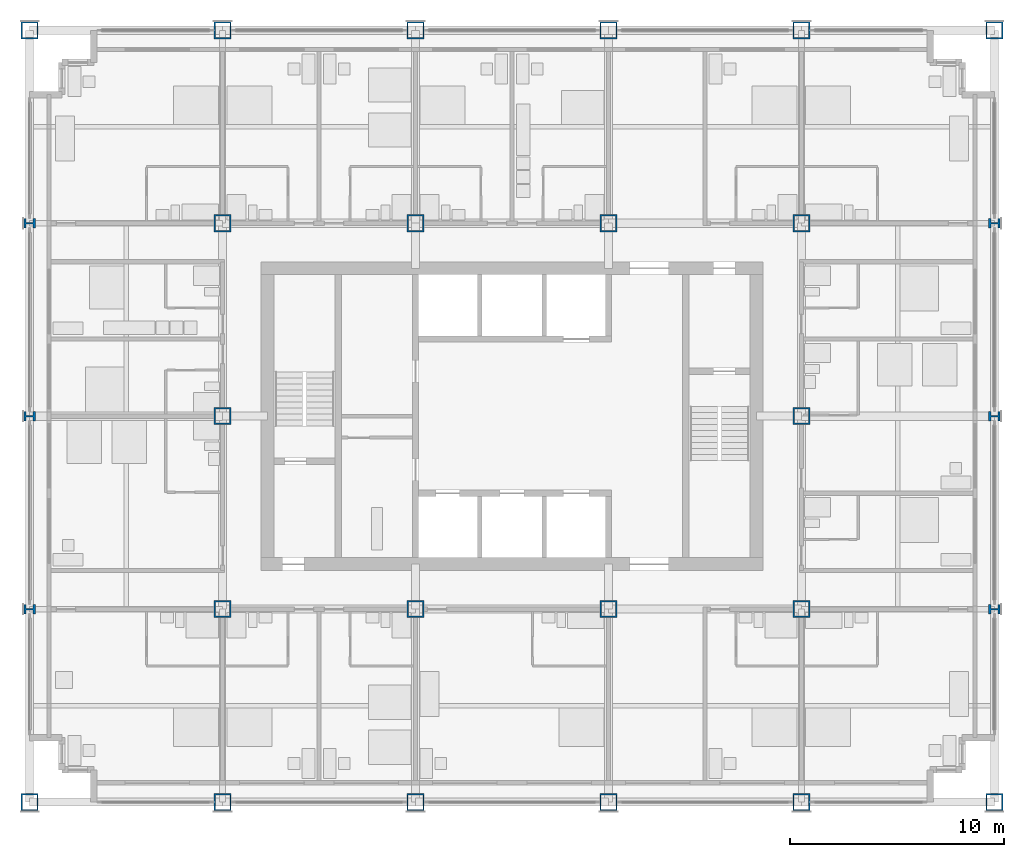
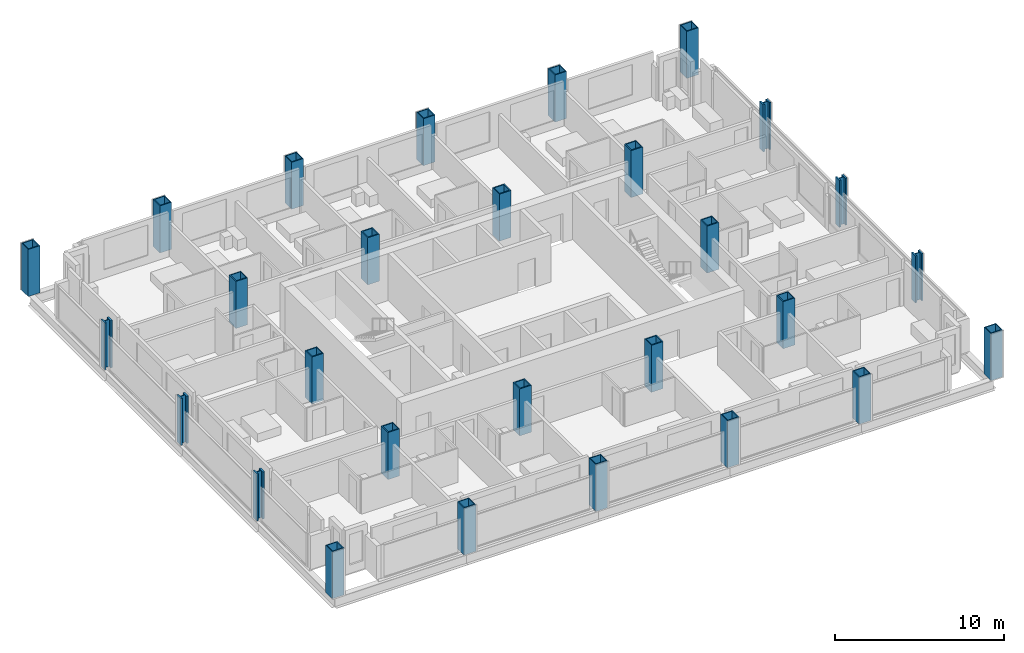
# One storey, part 1 of 17: 28 columns.
"""IFC4 building model written with IfcOpenShell, lengths in metres."""

from ifc_helpers import new_model, si_unit, direction, frame, origin, origin_2d, place, context, subcontext, project, spatial, hollow_rectangle, i_section, extrude, material, material_profile, profile_set, type_object, element, save


model = new_model("IFC4")

# Units and contexts
model_context = context("Model", 3, precision=1e-05, world=origin(), true_north=direction((0.0, 1.0)))
body_context = subcontext(model_context, "Body", "Model", "MODEL_VIEW")
ifc_project = project(units=[si_unit("LENGTHUNIT", "METRE"), si_unit("AREAUNIT", "SQUARE_METRE"), si_unit("VOLUMEUNIT", "CUBIC_METRE"), si_unit("PLANEANGLEUNIT", "RADIAN"), si_unit("MASSUNIT", "GRAM", prefix="KILO")], contexts=[model_context])

# Site, building, storey
site_placement = place(None, origin())
site = spatial("IfcSite", under=ifc_project, at=site_placement, CompositionType="ELEMENT")
building_placement = place(site_placement, origin())
building = spatial("IfcBuilding", under=site, at=building_placement, Name="Loomwork Tower", CompositionType="ELEMENT")
storey_placement = place(building_placement, frame((0.0, 0.0, 138.39990234375)))
storey = spatial("IfcBuildingStorey", under=building, at=storey_placement, Name="L37", CompositionType="ELEMENT", Elevation=138.39990234375)

# Columns
ifc_material_1 = material(Name="Steel ASTM A572 Grade 50 plate", Category="steel")
ifc_material_profile_1 = material_profile(ifc_material_1, hollow_rectangle(XDim=0.800048828125, YDim=0.800048828125, WallThickness=0.06005859375, at=origin_2d()), Name="BOX800x60")
ifc_profile_set_1 = profile_set([ifc_material_profile_1], Name="Steel ASTM A572 Grade 50 plate")
column_type_1 = type_object("IfcColumnType", Name="EXOSKELETON PIER BOX800x60", PredefinedType="COLUMN", material=ifc_profile_set_1)
for number, where, z_axis, x_axis, name in (
    (1, (0.0, 0.0, 0.0), (0.0, 0.0, 1.0), (1.0, 0.0, 0.0), "Exoskeleton Pier D/2 L37"),
    (2, (0.0, 36.0, 0.0), (0.0, 0.0, 1.0), (1.0, 0.0, 0.0), "Exoskeleton Pier H/2 L37"),
    (3, (9.0, 0.0, 0.0), (0.0, 0.0, 1.0), (1.0, 0.0, 0.0), "Exoskeleton Pier D/3 L37"),
    (4, (9.0, 36.0, 0.0), (0.0, 0.0, 1.0), (1.0, 0.0, 0.0), "Exoskeleton Pier H/3 L37"),
    (5, (18.0, 0.0, 0.0), (0.0, 0.0, 1.0), (1.0, 0.0, 0.0), "Exoskeleton Pier D/4 L37"),
    (6, (18.0, 36.0, 0.0), (0.0, 0.0, 1.0), (1.0, 0.0, 0.0), "Exoskeleton Pier H/4 L37"),
    (7, (27.0, 0.0, 0.0), (0.0, 0.0, 1.0), (1.0, 0.0, 0.0), "Exoskeleton Pier D/5 L37"),
    (8, (27.0, 36.0, 0.0), (0.0, 0.0, 1.0), (1.0, 0.0, 0.0), "Exoskeleton Pier H/5 L37"),
    (9, (36.0, 0.0, 0.0), (0.0, 0.0, 1.0), (1.0, 0.0, 0.0), "Exoskeleton Pier D/6 L37"),
    (10, (36.0, 36.0, 0.0), (0.0, 0.0, 1.0), (1.0, 0.0, 0.0), "Exoskeleton Pier H/6 L37"),
    (11, (45.0, 0.0, 0.0), (0.0, 0.0, 1.0), (1.0, 0.0, 0.0), "Exoskeleton Pier D/7 L37"),
    (12, (45.0, 36.0, 0.0), (0.0, 0.0, 1.0), (1.0, 0.0, 0.0), "Exoskeleton Pier H/7 L37"),
):
    element("IfcColumn", number, at=place(storey_placement, frame(where, z_axis=z_axis, x_axis=x_axis)), inside=storey, type_object=column_type_1, Name=name, PredefinedType="COLUMN", context=body_context, shape_type="SweptSolid", body=[
        extrude(hollow_rectangle(XDim=0.800048828125, YDim=0.800048828125, WallThickness=0.06005859375, at=origin_2d()), origin(), (0.0, 0.0, 1.0), 3.400146484375),
    ])
ifc_material_2 = material(Name="Steel ASTM A992", Category="steel")
ifc_material_profile_2 = material_profile(ifc_material_2, i_section(OverallWidth=0.44189453125, OverallDepth=0.53076171875, WebThickness=0.06591796875, FlangeThickness=0.105712890625, at=origin_2d()), Name="W14x605")
ifc_profile_set_2 = profile_set([ifc_material_profile_2], Name="Steel ASTM A992")
column_type_2 = type_object("IfcColumnType", Name="EXOSKELETON PIER W14x605", PredefinedType="COLUMN", material=ifc_profile_set_2)
for number, where, z_axis, x_axis, name in (
    (13, (0.0, 9.0, 0.0), (0.0, 0.0, 1.0), (0.0, 1.0, 0.0), "Exoskeleton Pier E/2 L37"),
    (14, (0.0, 18.0, 0.0), (0.0, 0.0, 1.0), (0.0, 1.0, 0.0), "Exoskeleton Pier F/2 L37"),
    (15, (0.0, 27.0, 0.0), (0.0, 0.0, 1.0), (0.0, 1.0, 0.0), "Exoskeleton Pier G/2 L37"),
    (16, (45.0, 9.0, 0.0), (0.0, 0.0, 1.0), (0.0, 1.0, 0.0), "Exoskeleton Pier E/7 L37"),
    (17, (45.0, 18.0, 0.0), (0.0, 0.0, 1.0), (0.0, 1.0, 0.0), "Exoskeleton Pier F/7 L37"),
    (18, (45.0, 27.0, 0.0), (0.0, 0.0, 1.0), (0.0, 1.0, 0.0), "Exoskeleton Pier G/7 L37"),
):
    element("IfcColumn", number, at=place(storey_placement, frame(where, z_axis=z_axis, x_axis=x_axis)), inside=storey, type_object=column_type_2, Name=name, PredefinedType="COLUMN", context=body_context, shape_type="SweptSolid", body=[
        extrude(i_section(OverallWidth=0.44189453125, OverallDepth=0.53076171875, WebThickness=0.06591796875, FlangeThickness=0.105712890625, at=origin_2d()), origin(), (0.0, 0.0, 1.0), 3.400146484375),
    ])
ifc_material_3 = material(Name="Steel ASTM A572 Grade 50 plate", Category="steel")
ifc_material_profile_3 = material_profile(ifc_material_3, hollow_rectangle(XDim=0.800048828125, YDim=0.800048828125, WallThickness=0.070068359375, at=origin_2d()), Name="BOX800x70")
ifc_profile_set_3 = profile_set([ifc_material_profile_3], Name="Steel ASTM A572 Grade 50 plate")
column_type_3 = type_object("IfcColumnType", Name="TOWER COLUMN BOX800x70", PredefinedType="COLUMN", material=ifc_profile_set_3)
for number, where, z_axis, x_axis, name in (
    (19, (9.0, 9.0, 0.0), (0.0, 0.0, 1.0), (1.0, 0.0, 0.0), "Tower Column E/3 L37"),
    (20, (9.0, 18.0, 0.0), (0.0, 0.0, 1.0), (1.0, 0.0, 0.0), "Tower Column F/3 L37"),
    (21, (9.0, 27.0, 0.0), (0.0, 0.0, 1.0), (1.0, 0.0, 0.0), "Tower Column G/3 L37"),
    (22, (18.0, 9.0, 0.0), (0.0, 0.0, 1.0), (1.0, 0.0, 0.0), "Tower Column E/4 L37"),
    (23, (18.0, 27.0, 0.0), (0.0, 0.0, 1.0), (1.0, 0.0, 0.0), "Tower Column G/4 L37"),
    (24, (27.0, 9.0, 0.0), (0.0, 0.0, 1.0), (1.0, 0.0, 0.0), "Tower Column E/5 L37"),
    (25, (27.0, 27.0, 0.0), (0.0, 0.0, 1.0), (1.0, 0.0, 0.0), "Tower Column G/5 L37"),
    (26, (36.0, 9.0, 0.0), (0.0, 0.0, 1.0), (0.0, 1.0, 0.0), "Tower Column E/6 L37"),
    (27, (36.0, 18.0, 0.0), (0.0, 0.0, 1.0), (0.0, 1.0, 0.0), "Tower Column F/6 L37"),
    (28, (36.0, 27.0, 0.0), (0.0, 0.0, 1.0), (1.0, 0.0, 0.0), "Tower Column G/6 L37"),
):
    element("IfcColumn", number, at=place(storey_placement, frame(where, z_axis=z_axis, x_axis=x_axis)), inside=storey, type_object=column_type_3, Name=name, PredefinedType="COLUMN", context=body_context, shape_type="SweptSolid", body=[
        extrude(hollow_rectangle(XDim=0.800048828125, YDim=0.800048828125, WallThickness=0.070068359375, at=origin_2d()), origin(), (0.0, 0.0, 1.0), 3.400146484375),
    ])

save(model, "model.ifc")
